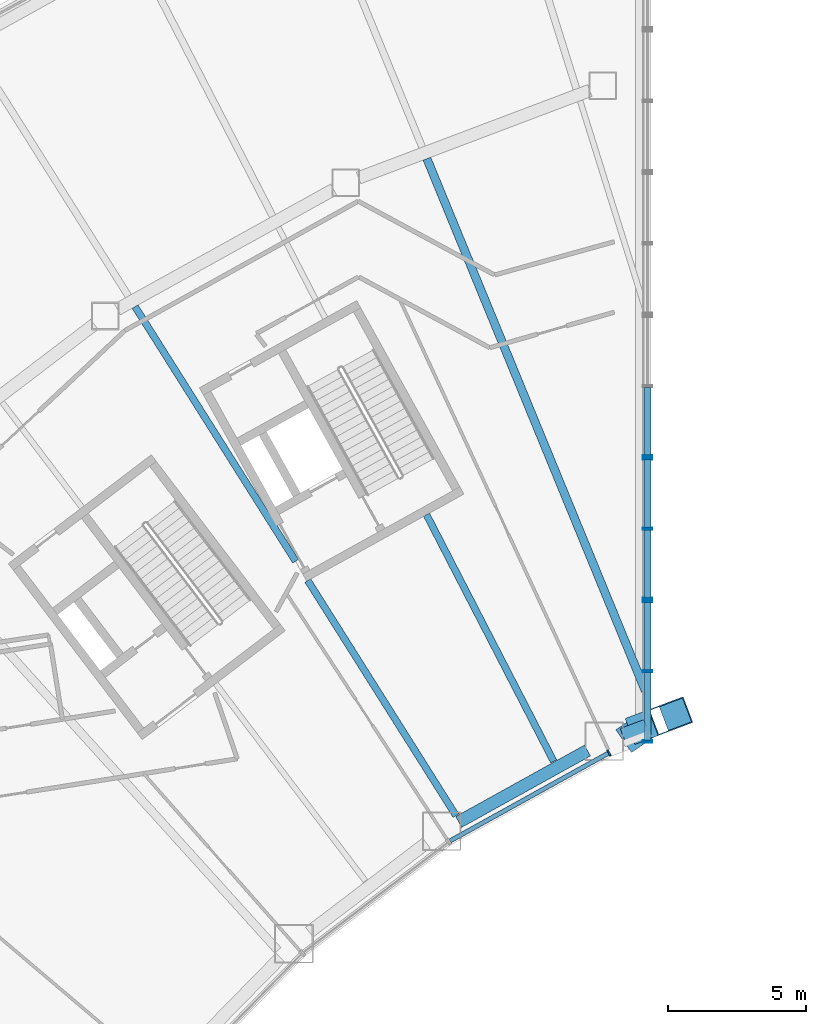
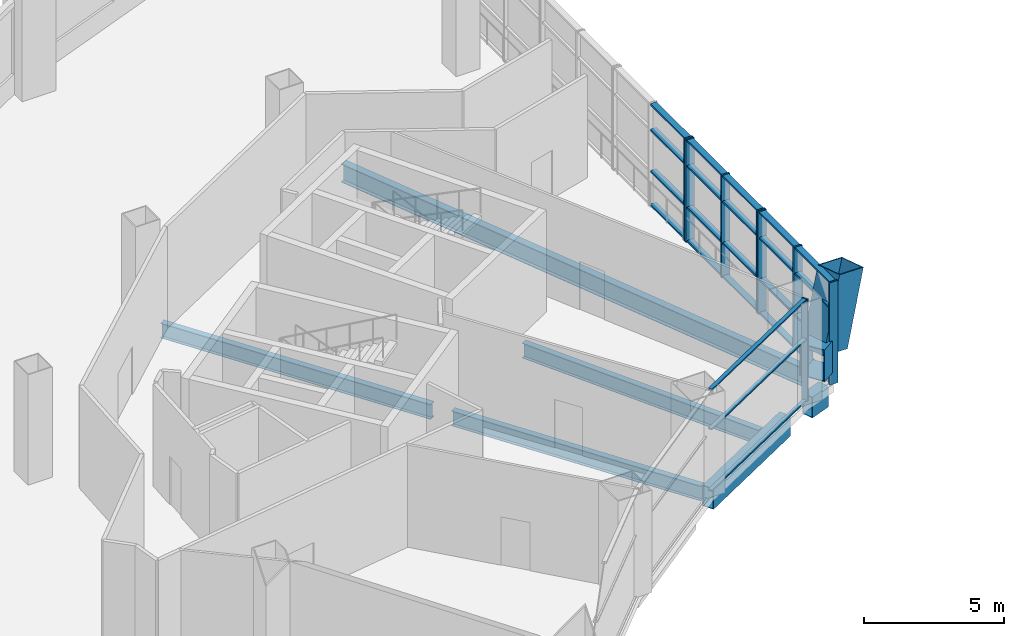
# One storey, part 5 of 26: 31 members, 8 beams, 4 elements without a shape of their own.
"""IFC4 building model written with IfcOpenShell, lengths in metres."""

from ifc_helpers import new_model, si_unit, direction, frame, origin, origin_2d, place, context, subcontext, project, spatial, rectangle, hollow_rectangle, i_section, extrude, material, layer, layer_set, material_profile, profile_set, type_object, element, aggregate, save


model = new_model("IFC4")

# Units and contexts
model_context = context("Model", 3, precision=1e-05, world=origin(), true_north=direction((0.0, 1.0)))
body_context = subcontext(model_context, "Body", "Model", "MODEL_VIEW")
ifc_project = project(units=[si_unit("LENGTHUNIT", "METRE"), si_unit("AREAUNIT", "SQUARE_METRE"), si_unit("VOLUMEUNIT", "CUBIC_METRE"), si_unit("PLANEANGLEUNIT", "RADIAN"), si_unit("MASSUNIT", "GRAM", prefix="KILO")], contexts=[model_context])

# Site, building, storey
site_placement = place(None, origin())
site = spatial("IfcSite", under=ifc_project, at=site_placement, CompositionType="ELEMENT")
building_placement = place(site_placement, origin())
building = spatial("IfcBuilding", under=site, at=building_placement, Name="Tuul Gate Civic Tower", CompositionType="ELEMENT")
storey_placement = place(building_placement, frame((0.0, 0.0, 7.5)))
storey = spatial("IfcBuildingStorey", under=building, at=storey_placement, Name="Level 01", CompositionType="ELEMENT", Elevation=7.5)

# Curtain wall, members
ifc_material_1 = material(Name="Stainless steel", Category="steel")
ifc_layer_1 = layer(ifc_material_1, 0.199951171875)
ifc_layer_set_1 = layer_set([ifc_layer_1], Name="Stainless steel")
curtain_wall_type_1 = type_object("IfcCurtainWallType", Name="Curtain wall CW2", PredefinedType="NOTDEFINED", material=ifc_layer_set_1)
curtain_wall_1_placement = place(storey_placement, origin())
curtain_wall_1 = element("IfcCurtainWall", 1, at=curtain_wall_1_placement, inside=storey, type_object=curtain_wall_type_1, Name="Curtain wall CW2", PredefinedType="NOTDEFINED")
ifc_material_2 = material(Name="Stainless steel", Category="steel")
ifc_material_profile_1 = material_profile(ifc_material_2, hollow_rectangle(XDim=0.35009765625, YDim=0.080078125, WallThickness=0.006103515625, at=origin_2d()), Name="CW2 mullion")
ifc_profile_set_1 = profile_set([ifc_material_profile_1], Name="Stainless steel")
member_type_1 = type_object("IfcMemberType", Name="CW2 mullion", PredefinedType="MULLION", material=ifc_profile_set_1)
member_1_placement = place(storey_placement, frame((-18.0, -17.7958984375, 0.0), z_axis=(0.0, 0.0, 1.0), x_axis=(-1.0, 0.0, 0.0)))
member_1 = element("IfcMember", 2, at=member_1_placement, type_object=member_type_1, Name="Mullion", PredefinedType="MULLION", context=body_context, shape_type="SweptSolid", body=[
    extrude(hollow_rectangle(XDim=0.35009765625, YDim=0.080078125, WallThickness=0.006103515625, at=origin_2d()), origin(), (0.0, 0.0, 1.0), 4.449951171875),
])
member_2_placement = place(storey_placement, frame((-18.0, -15.25732421875, 0.0), z_axis=(0.0, 0.0, 1.0), x_axis=(-1.0, 0.0, 0.0)))
member_2 = element("IfcMember", 3, at=member_2_placement, type_object=member_type_1, Name="Mullion", PredefinedType="MULLION", context=body_context, shape_type="SweptSolid", body=[
    extrude(hollow_rectangle(XDim=0.35009765625, YDim=0.080078125, WallThickness=0.006103515625, at=origin_2d()), origin(), (0.0, 0.0, 1.0), 4.449951171875),
])
member_3_placement = place(storey_placement, frame((-18.0, -12.71875, 0.0), z_axis=(0.0, 0.0, 1.0), x_axis=(-1.0, 0.0, 0.0)))
member_3 = element("IfcMember", 4, at=member_3_placement, type_object=member_type_1, Name="Mullion", PredefinedType="MULLION", context=body_context, shape_type="SweptSolid", body=[
    extrude(hollow_rectangle(XDim=0.35009765625, YDim=0.080078125, WallThickness=0.006103515625, at=origin_2d()), origin(), (0.0, 0.0, 1.0), 4.449951171875),
])

curtain_wall_2_placement = place(storey_placement, origin())
curtain_wall_2 = element("IfcCurtainWall", 5, at=curtain_wall_2_placement, inside=storey, type_object=curtain_wall_type_1, Name="Curtain wall CW2", PredefinedType="NOTDEFINED")
member_4_placement = place(storey_placement, frame((-18.0, -12.638671875, 0.0), z_axis=(0.0, 0.0, 1.0), x_axis=(-1.0, 0.0, 0.0)))
member_4 = element("IfcMember", 6, at=member_4_placement, type_object=member_type_1, Name="Mullion", PredefinedType="MULLION", context=body_context, shape_type="SweptSolid", body=[
    extrude(hollow_rectangle(XDim=0.35009765625, YDim=0.080078125, WallThickness=0.006103515625, at=origin_2d()), origin(), (0.0, 0.0, 1.0), 4.449951171875),
])
member_5_placement = place(storey_placement, frame((-18.0, -10.10009765625, 0.0), z_axis=(0.0, 0.0, 1.0), x_axis=(-1.0, 0.0, 0.0)))
member_5 = element("IfcMember", 7, at=member_5_placement, type_object=member_type_1, Name="Mullion", PredefinedType="MULLION", context=body_context, shape_type="SweptSolid", body=[
    extrude(hollow_rectangle(XDim=0.35009765625, YDim=0.080078125, WallThickness=0.006103515625, at=origin_2d()), origin(), (0.0, 0.0, 1.0), 4.449951171875),
])
member_6_placement = place(storey_placement, frame((-18.0, -7.5615234375, 0.0), z_axis=(0.0, 0.0, 1.0), x_axis=(-1.0, 0.0, 0.0)))
member_6 = element("IfcMember", 8, at=member_6_placement, type_object=member_type_1, Name="Mullion", PredefinedType="MULLION", context=body_context, shape_type="SweptSolid", body=[
    extrude(hollow_rectangle(XDim=0.35009765625, YDim=0.080078125, WallThickness=0.006103515625, at=origin_2d()), origin(), (0.0, 0.0, 1.0), 4.449951171875),
])

# Curtain wall, member
curtain_wall_3_placement = place(storey_placement, origin())
curtain_wall_3 = element("IfcCurtainWall", 9, at=curtain_wall_3_placement, inside=storey, type_object=curtain_wall_type_1, Name="Curtain wall CW2", PredefinedType="NOTDEFINED")
member_7_placement = place(storey_placement, frame((-18.0, -7.4814453125, 0.0), z_axis=(0.0, 0.0, 1.0), x_axis=(-1.0, 0.0, 0.0)))
member_7 = element("IfcMember", 10, at=member_7_placement, type_object=member_type_1, Name="Mullion", PredefinedType="MULLION", context=body_context, shape_type="SweptSolid", body=[
    extrude(hollow_rectangle(XDim=0.35009765625, YDim=0.080078125, WallThickness=0.006103515625, at=origin_2d()), origin(), (0.0, 0.0, 1.0), 4.449951171875),
])

# Member
ifc_material_3 = material(Name="Stainless steel", Category="steel")
ifc_material_profile_2 = material_profile(ifc_material_3, hollow_rectangle(XDim=0.25, YDim=0.080078125, WallThickness=0.006103515625, at=origin_2d()), Name="CW2 transom")
ifc_profile_set_2 = profile_set([ifc_material_profile_2], Name="Stainless steel")
member_type_2 = type_object("IfcMemberType", Name="CW2 transom", PredefinedType="USERDEFINED", material=ifc_profile_set_2)
member_8_placement = place(storey_placement, frame((-18.0, -17.756103515625, 0.0400390625), z_axis=(0.0, 1.0, 0.0), x_axis=(-1.0, 0.0, 0.0)))
member_8 = element("IfcMember", 11, at=member_8_placement, type_object=member_type_2, Name="Transom", ObjectType="TRANSOM", PredefinedType="USERDEFINED", context=body_context, shape_type="SweptSolid", body=[
    extrude(hollow_rectangle(XDim=0.25, YDim=0.080078125, WallThickness=0.006103515625, at=origin_2d()), origin(), (0.0, 0.0, 1.0), 2.458740234375),
])

member_9_placement = place(storey_placement, frame((-18.0, -17.756103515625, 1.5), z_axis=(0.0, 1.0, 0.0), x_axis=(-1.0, 0.0, 0.0)))
member_9 = element("IfcMember", 12, at=member_9_placement, type_object=member_type_2, Name="Transom", ObjectType="TRANSOM", PredefinedType="USERDEFINED", context=body_context, shape_type="SweptSolid", body=[
    extrude(hollow_rectangle(XDim=0.25, YDim=0.080078125, WallThickness=0.006103515625, at=origin_2d()), origin(), (0.0, 0.0, 1.0), 2.458740234375),
])

member_10_placement = place(storey_placement, frame((-18.0, -17.756103515625, 3.300048828125), z_axis=(0.0, 1.0, 0.0), x_axis=(-1.0, 0.0, 0.0)))
member_10 = element("IfcMember", 13, at=member_10_placement, type_object=member_type_2, Name="Transom", ObjectType="TRANSOM", PredefinedType="USERDEFINED", context=body_context, shape_type="SweptSolid", body=[
    extrude(hollow_rectangle(XDim=0.25, YDim=0.080078125, WallThickness=0.006103515625, at=origin_2d()), origin(), (0.0, 0.0, 1.0), 2.458740234375),
])

member_11_placement = place(storey_placement, frame((-18.0, -17.756103515625, 4.409912109375), z_axis=(0.0, 1.0, 0.0), x_axis=(-1.0, 0.0, 0.0)))
member_11 = element("IfcMember", 14, at=member_11_placement, type_object=member_type_2, Name="Transom", ObjectType="TRANSOM", PredefinedType="USERDEFINED", context=body_context, shape_type="SweptSolid", body=[
    extrude(hollow_rectangle(XDim=0.25, YDim=0.080078125, WallThickness=0.006103515625, at=origin_2d()), origin(), (0.0, 0.0, 1.0), 2.458740234375),
])

member_12_placement = place(storey_placement, frame((-18.0, -15.21728515625, 0.0400390625), z_axis=(0.0, 1.0, 0.0), x_axis=(-1.0, 0.0, 0.0)))
member_12 = element("IfcMember", 15, at=member_12_placement, type_object=member_type_2, Name="Transom", ObjectType="TRANSOM", PredefinedType="USERDEFINED", context=body_context, shape_type="SweptSolid", body=[
    extrude(hollow_rectangle(XDim=0.25, YDim=0.080078125, WallThickness=0.006103515625, at=origin_2d()), origin(), (0.0, 0.0, 1.0), 2.45849609375),
])

member_13_placement = place(storey_placement, frame((-18.0, -15.21728515625, 1.5), z_axis=(0.0, 1.0, 0.0), x_axis=(-1.0, 0.0, 0.0)))
member_13 = element("IfcMember", 16, at=member_13_placement, type_object=member_type_2, Name="Transom", ObjectType="TRANSOM", PredefinedType="USERDEFINED", context=body_context, shape_type="SweptSolid", body=[
    extrude(hollow_rectangle(XDim=0.25, YDim=0.080078125, WallThickness=0.006103515625, at=origin_2d()), origin(), (0.0, 0.0, 1.0), 2.45849609375),
])

member_14_placement = place(storey_placement, frame((-18.0, -15.21728515625, 3.300048828125), z_axis=(0.0, 1.0, 0.0), x_axis=(-1.0, 0.0, 0.0)))
member_14 = element("IfcMember", 17, at=member_14_placement, type_object=member_type_2, Name="Transom", ObjectType="TRANSOM", PredefinedType="USERDEFINED", context=body_context, shape_type="SweptSolid", body=[
    extrude(hollow_rectangle(XDim=0.25, YDim=0.080078125, WallThickness=0.006103515625, at=origin_2d()), origin(), (0.0, 0.0, 1.0), 2.45849609375),
])

member_15_placement = place(storey_placement, frame((-18.0, -15.21728515625, 4.409912109375), z_axis=(0.0, 1.0, 0.0), x_axis=(-1.0, 0.0, 0.0)))
member_15 = element("IfcMember", 18, at=member_15_placement, type_object=member_type_2, Name="Transom", ObjectType="TRANSOM", PredefinedType="USERDEFINED", context=body_context, shape_type="SweptSolid", body=[
    extrude(hollow_rectangle(XDim=0.25, YDim=0.080078125, WallThickness=0.006103515625, at=origin_2d()), origin(), (0.0, 0.0, 1.0), 2.45849609375),
])

aggregate(curtain_wall_1, [member_1, member_2, member_3, member_8, member_9, member_10, member_11, member_12, member_13, member_14, member_15])

member_16_placement = place(storey_placement, frame((-18.0, -12.5986328125, 0.0400390625), z_axis=(0.0, 1.0, 0.0), x_axis=(-1.0, 0.0, 0.0)))
member_16 = element("IfcMember", 19, at=member_16_placement, type_object=member_type_2, Name="Transom", ObjectType="TRANSOM", PredefinedType="USERDEFINED", context=body_context, shape_type="SweptSolid", body=[
    extrude(hollow_rectangle(XDim=0.25, YDim=0.080078125, WallThickness=0.006103515625, at=origin_2d()), origin(), (0.0, 0.0, 1.0), 2.45849609375),
])

member_17_placement = place(storey_placement, frame((-18.0, -12.5986328125, 1.5), z_axis=(0.0, 1.0, 0.0), x_axis=(-1.0, 0.0, 0.0)))
member_17 = element("IfcMember", 20, at=member_17_placement, type_object=member_type_2, Name="Transom", ObjectType="TRANSOM", PredefinedType="USERDEFINED", context=body_context, shape_type="SweptSolid", body=[
    extrude(hollow_rectangle(XDim=0.25, YDim=0.080078125, WallThickness=0.006103515625, at=origin_2d()), origin(), (0.0, 0.0, 1.0), 2.45849609375),
])

member_18_placement = place(storey_placement, frame((-18.0, -12.5986328125, 3.300048828125), z_axis=(0.0, 1.0, 0.0), x_axis=(-1.0, 0.0, 0.0)))
member_18 = element("IfcMember", 21, at=member_18_placement, type_object=member_type_2, Name="Transom", ObjectType="TRANSOM", PredefinedType="USERDEFINED", context=body_context, shape_type="SweptSolid", body=[
    extrude(hollow_rectangle(XDim=0.25, YDim=0.080078125, WallThickness=0.006103515625, at=origin_2d()), origin(), (0.0, 0.0, 1.0), 2.45849609375),
])

member_19_placement = place(storey_placement, frame((-18.0, -12.5986328125, 4.409912109375), z_axis=(0.0, 1.0, 0.0), x_axis=(-1.0, 0.0, 0.0)))
member_19 = element("IfcMember", 22, at=member_19_placement, type_object=member_type_2, Name="Transom", ObjectType="TRANSOM", PredefinedType="USERDEFINED", context=body_context, shape_type="SweptSolid", body=[
    extrude(hollow_rectangle(XDim=0.25, YDim=0.080078125, WallThickness=0.006103515625, at=origin_2d()), origin(), (0.0, 0.0, 1.0), 2.45849609375),
])

member_20_placement = place(storey_placement, frame((-18.0, -10.06005859375, 0.0400390625), z_axis=(0.0, 1.0, 0.0), x_axis=(-1.0, 0.0, 0.0)))
member_20 = element("IfcMember", 23, at=member_20_placement, type_object=member_type_2, Name="Transom", ObjectType="TRANSOM", PredefinedType="USERDEFINED", context=body_context, shape_type="SweptSolid", body=[
    extrude(hollow_rectangle(XDim=0.25, YDim=0.080078125, WallThickness=0.006103515625, at=origin_2d()), origin(), (0.0, 0.0, 1.0), 2.458740234375),
])

member_21_placement = place(storey_placement, frame((-18.0, -10.06005859375, 1.5), z_axis=(0.0, 1.0, 0.0), x_axis=(-1.0, 0.0, 0.0)))
member_21 = element("IfcMember", 24, at=member_21_placement, type_object=member_type_2, Name="Transom", ObjectType="TRANSOM", PredefinedType="USERDEFINED", context=body_context, shape_type="SweptSolid", body=[
    extrude(hollow_rectangle(XDim=0.25, YDim=0.080078125, WallThickness=0.006103515625, at=origin_2d()), origin(), (0.0, 0.0, 1.0), 2.458740234375),
])

member_22_placement = place(storey_placement, frame((-18.0, -10.06005859375, 3.300048828125), z_axis=(0.0, 1.0, 0.0), x_axis=(-1.0, 0.0, 0.0)))
member_22 = element("IfcMember", 25, at=member_22_placement, type_object=member_type_2, Name="Transom", ObjectType="TRANSOM", PredefinedType="USERDEFINED", context=body_context, shape_type="SweptSolid", body=[
    extrude(hollow_rectangle(XDim=0.25, YDim=0.080078125, WallThickness=0.006103515625, at=origin_2d()), origin(), (0.0, 0.0, 1.0), 2.458740234375),
])

member_23_placement = place(storey_placement, frame((-18.0, -10.06005859375, 4.409912109375), z_axis=(0.0, 1.0, 0.0), x_axis=(-1.0, 0.0, 0.0)))
member_23 = element("IfcMember", 26, at=member_23_placement, type_object=member_type_2, Name="Transom", ObjectType="TRANSOM", PredefinedType="USERDEFINED", context=body_context, shape_type="SweptSolid", body=[
    extrude(hollow_rectangle(XDim=0.25, YDim=0.080078125, WallThickness=0.006103515625, at=origin_2d()), origin(), (0.0, 0.0, 1.0), 2.458740234375),
])

aggregate(curtain_wall_2, [member_4, member_5, member_6, member_16, member_17, member_18, member_19, member_20, member_21, member_22, member_23])

member_24_placement = place(storey_placement, frame((-18.0, -7.44140625, 0.0400390625), z_axis=(0.0, 1.0, 0.0), x_axis=(-1.0, 0.0, 0.0)))
member_24 = element("IfcMember", 27, at=member_24_placement, type_object=member_type_2, Name="Transom", ObjectType="TRANSOM", PredefinedType="USERDEFINED", context=body_context, shape_type="SweptSolid", body=[
    extrude(hollow_rectangle(XDim=0.25, YDim=0.080078125, WallThickness=0.006103515625, at=origin_2d()), origin(), (0.0, 0.0, 1.0), 2.458740234375),
])

member_25_placement = place(storey_placement, frame((-18.0, -7.44140625, 1.5), z_axis=(0.0, 1.0, 0.0), x_axis=(-1.0, 0.0, 0.0)))
member_25 = element("IfcMember", 28, at=member_25_placement, type_object=member_type_2, Name="Transom", ObjectType="TRANSOM", PredefinedType="USERDEFINED", context=body_context, shape_type="SweptSolid", body=[
    extrude(hollow_rectangle(XDim=0.25, YDim=0.080078125, WallThickness=0.006103515625, at=origin_2d()), origin(), (0.0, 0.0, 1.0), 2.458740234375),
])

member_26_placement = place(storey_placement, frame((-18.0, -7.44140625, 3.300048828125), z_axis=(0.0, 1.0, 0.0), x_axis=(-1.0, 0.0, 0.0)))
member_26 = element("IfcMember", 29, at=member_26_placement, type_object=member_type_2, Name="Transom", ObjectType="TRANSOM", PredefinedType="USERDEFINED", context=body_context, shape_type="SweptSolid", body=[
    extrude(hollow_rectangle(XDim=0.25, YDim=0.080078125, WallThickness=0.006103515625, at=origin_2d()), origin(), (0.0, 0.0, 1.0), 2.458740234375),
])

member_27_placement = place(storey_placement, frame((-18.0, -7.44140625, 4.409912109375), z_axis=(0.0, 1.0, 0.0), x_axis=(-1.0, 0.0, 0.0)))
member_27 = element("IfcMember", 30, at=member_27_placement, type_object=member_type_2, Name="Transom", ObjectType="TRANSOM", PredefinedType="USERDEFINED", context=body_context, shape_type="SweptSolid", body=[
    extrude(hollow_rectangle(XDim=0.25, YDim=0.080078125, WallThickness=0.006103515625, at=origin_2d()), origin(), (0.0, 0.0, 1.0), 2.458740234375),
])

aggregate(curtain_wall_3, [member_7, member_24, member_25, member_26, member_27])

# Curtain wall, members
ifc_material_4 = material(Name="Aluminium", Category="aluminium")
ifc_layer_2 = layer(ifc_material_4, 0.199951171875)
ifc_layer_set_2 = layer_set([ifc_layer_2], Name="Aluminium")
curtain_wall_type_2 = type_object("IfcCurtainWallType", Name="Curtain wall CW6", PredefinedType="NOTDEFINED", material=ifc_layer_set_2)
curtain_wall_4_placement = place(storey_placement, origin())
curtain_wall_4 = element("IfcCurtainWall", 31, at=curtain_wall_4_placement, inside=storey, type_object=curtain_wall_type_2, Name="Curtain wall CW6", PredefinedType="NOTDEFINED")
ifc_material_5 = material(Name="Aluminium", Category="aluminium")
ifc_material_profile_3 = material_profile(ifc_material_5, rectangle(XDim=0.239990234375, YDim=0.06005859375, at=origin_2d()), Name="CW6 mullion")
ifc_profile_set_3 = profile_set([ifc_material_profile_3], Name="Aluminium")
member_type_3 = type_object("IfcMemberType", Name="CW6 mullion", PredefinedType="MULLION", material=ifc_profile_set_3)
member_28_placement = place(storey_placement, frame((-19.394287109375, -18.20751953125, 0.0), z_axis=(0.0, 0.0, 1.0), x_axis=(-0.484724404523, 0.87466693756, 0.0)))
member_28 = element("IfcMember", 32, at=member_28_placement, type_object=member_type_3, Name="Mullion", PredefinedType="MULLION", context=body_context, shape_type="SweptSolid", body=[
    extrude(rectangle(XDim=0.239990234375, YDim=0.06005859375, at=origin_2d()), origin(), (0.0, 0.0, 1.0), 4.449951171875),
])
ifc_material_6 = material(Name="Aluminium", Category="aluminium")
ifc_material_profile_4 = material_profile(ifc_material_6, rectangle(XDim=0.159912109375, YDim=0.06005859375, at=origin_2d()), Name="CW6 transom")
ifc_profile_set_4 = profile_set([ifc_material_profile_4], Name="Aluminium")
member_type_4 = type_object("IfcMemberType", Name="CW6 transom", PredefinedType="USERDEFINED", material=ifc_profile_set_4)
member_29_placement = place(storey_placement, frame((-25.138427734375, -21.390869140625, 0.030029296875), z_axis=(0.874674687006, 0.484710420676, 0.0), x_axis=(-0.484710420676, 0.874674687006, 0.0)))
member_29 = element("IfcMember", 33, at=member_29_placement, type_object=member_type_4, Name="Transom", ObjectType="TRANSOM", PredefinedType="USERDEFINED", context=body_context, shape_type="SweptSolid", body=[
    extrude(rectangle(XDim=0.159912109375, YDim=0.06005859375, at=origin_2d()), origin(), (0.0, 0.0, 1.0), 6.537353515625),
])
member_30_placement = place(storey_placement, frame((-25.138427734375, -21.390869140625, 2.699951171875), z_axis=(0.874674687006, 0.484710420676, 0.0), x_axis=(-0.484710420676, 0.874674687006, 0.0)))
member_30 = element("IfcMember", 34, at=member_30_placement, type_object=member_type_4, Name="Transom", ObjectType="TRANSOM", PredefinedType="USERDEFINED", context=body_context, shape_type="SweptSolid", body=[
    extrude(rectangle(XDim=0.159912109375, YDim=0.06005859375, at=origin_2d()), origin(), (0.0, 0.0, 1.0), 6.537353515625),
])
member_31_placement = place(storey_placement, frame((-25.138427734375, -21.390869140625, 4.419921875), z_axis=(0.874674687006, 0.484710420676, 0.0), x_axis=(-0.484710420676, 0.874674687006, 0.0)))
member_31 = element("IfcMember", 35, at=member_31_placement, type_object=member_type_4, Name="Transom", ObjectType="TRANSOM", PredefinedType="USERDEFINED", context=body_context, shape_type="SweptSolid", body=[
    extrude(rectangle(XDim=0.159912109375, YDim=0.06005859375, at=origin_2d()), origin(), (0.0, 0.0, 1.0), 6.537353515625),
])
aggregate(curtain_wall_4, [member_28, member_29, member_30, member_31])

# Beams
ifc_material_7 = material(Name="Steel S460", Category="steel")
ifc_material_profile_5 = material_profile(ifc_material_7, hollow_rectangle(XDim=1.0, YDim=1.39990234375, WallThickness=0.0400390625, at=origin_2d()), Name="BOX1400x1000x40")
ifc_profile_set_5 = profile_set([ifc_material_profile_5], Name="Steel S460")
beam_type_1 = type_object("IfcBeamType", Name="STR-ARCH TRUSS CHORD-BOX1400x1000x40", PredefinedType="BEAM", material=ifc_profile_set_5)
beam_1_placement = place(storey_placement, frame((-18.85791015625, -17.782958984375, 1.199951171875), z_axis=(0.824466130769, 0.565911299777, 0.0), x_axis=(-0.565911299777, 0.824466130769, 0.0)))
element("IfcBeam", 36, at=beam_1_placement, inside=storey, type_object=beam_type_1, Name="Arch rib", PredefinedType="BEAM", context=body_context, shape_type="SweptSolid", body=[
    extrude(hollow_rectangle(XDim=1.0, YDim=1.39990234375, WallThickness=0.0400390625, at=origin_2d()), origin(), (0.0, 0.0, 1.0), 1.04052734375),
])
beam_2_placement = place(storey_placement, frame((-18.0, -17.194091796875, 1.199951171875), z_axis=(0.263627196254, 0.099635010021, 0.959465250112), x_axis=(-0.35353257544, 0.935422213817, 0.0)))
element("IfcBeam", 37, at=beam_2_placement, inside=storey, type_object=beam_type_1, Name="Arch rib", PredefinedType="BEAM", context=body_context, shape_type="SweptSolid", body=[
    extrude(hollow_rectangle(XDim=1.0, YDim=1.39990234375, WallThickness=0.0400390625, at=origin_2d()), origin(), (0.0, 0.0, 1.0), 3.1904296875),
])
ifc_material_8 = material(Name="Steel S355", Category="steel")
ifc_material_profile_6 = material_profile(ifc_material_8, i_section(OverallWidth=0.25, OverallDepth=0.64990234375, WebThickness=0.011962890625, FlangeThickness=0.02001953125, at=origin_2d()), Name="PG650x250x12x20")
ifc_profile_set_6 = profile_set([ifc_material_profile_6], Name="Steel S355")
beam_type_2 = type_object("IfcBeamType", Name="STR-FLOOR BEAM-PG650x250x12x20", PredefinedType="BEAM", material=ifc_profile_set_6)
beam_3_placement = place(storey_placement, frame((-21.390380859375, -18.512939453125, -0.675048828125), z_axis=(-0.458274716769, 0.88881060073, 0.0), x_axis=(-0.88881060073, -0.458274716769, 0.0)))
element("IfcBeam", 38, at=beam_3_placement, inside=storey, type_object=beam_type_2, Name="Floor beam", PredefinedType="BEAM", context=body_context, shape_type="SweptSolid", body=[
    extrude(i_section(OverallWidth=0.25, OverallDepth=0.64990234375, WebThickness=0.011962890625, FlangeThickness=0.02001953125, at=origin_2d()), origin(), (0.0, 0.0, 1.0), 10.03369140625),
])
beam_4_placement = place(storey_placement, frame((-24.9248046875, -20.47265625, -0.675048828125), z_axis=(-0.53338296173, 0.845873877204, 0.0), x_axis=(-0.845873877204, -0.53338296173, 0.0)))
element("IfcBeam", 39, at=beam_4_placement, inside=storey, type_object=beam_type_2, Name="Floor beam", PredefinedType="BEAM", context=body_context, shape_type="SweptSolid", body=[
    extrude(i_section(OverallWidth=0.25, OverallDepth=0.64990234375, WebThickness=0.011962890625, FlangeThickness=0.02001953125, at=origin_2d()), origin(), (0.0, 0.0, 1.0), 10.045654296875),
])
beam_5_placement = place(storey_placement, frame((-30.72509765625, -11.2744140625, -0.675048828125), z_axis=(-0.533383609524, 0.845873468724, 0.0), x_axis=(-0.845873468724, -0.533383609524, 0.0)))
element("IfcBeam", 40, at=beam_5_placement, inside=storey, type_object=beam_type_2, Name="Floor beam", PredefinedType="BEAM", context=body_context, shape_type="SweptSolid", body=[
    extrude(i_section(OverallWidth=0.25, OverallDepth=0.64990234375, WebThickness=0.011962890625, FlangeThickness=0.02001953125, at=origin_2d()), origin(), (0.0, 0.0, 1.0), 10.885498046875),
])
ifc_material_9 = material(Name="Steel S355", Category="steel")
ifc_material_profile_7 = material_profile(ifc_material_9, i_section(OverallWidth=0.300048828125, OverallDepth=0.800048828125, WebThickness=0.013916015625, FlangeThickness=0.02490234375, at=origin_2d()), Name="PG800x300x14x25")
ifc_profile_set_7 = profile_set([ifc_material_profile_7], Name="Steel S355")
beam_type_3 = type_object("IfcBeamType", Name="STR-FLOOR BEAM-PG800x300x14x25", PredefinedType="BEAM", material=ifc_profile_set_7)
beam_6_placement = place(storey_placement, frame((-18.074951171875, -15.9638671875, -0.75), z_axis=(-0.379719110577, 0.925101830645, 0.0), x_axis=(-0.925101830645, -0.379719110577, 0.0)))
element("IfcBeam", 41, at=beam_6_placement, inside=storey, type_object=beam_type_3, Name="Floor beam", PredefinedType="BEAM", context=body_context, shape_type="SweptSolid", body=[
    extrude(i_section(OverallWidth=0.300048828125, OverallDepth=0.800048828125, WebThickness=0.013916015625, FlangeThickness=0.02490234375, at=origin_2d()), origin(), (0.0, 0.0, 1.0), 20.805908203125),
])
ifc_material_10 = material(Name="Steel S355", Category="steel")
ifc_material_profile_8 = material_profile(ifc_material_10, hollow_rectangle(XDim=0.449951171875, YDim=0.89990234375, WallThickness=0.02490234375, at=origin_2d()), Name="BOX900x450x25")
ifc_profile_set_8 = profile_set([ifc_material_profile_8], Name="Steel S355")
beam_type_4 = type_object("IfcBeamType", Name="STR-SPANDREL BEAM-BOX900x450x25", PredefinedType="BEAM", material=ifc_profile_set_8)
beam_7_placement = place(storey_placement, frame((-24.82568359375, -20.70361328125, -0.800048828125), z_axis=(0.87456368019, 0.484910681769, 0.0), x_axis=(-0.484910681769, 0.87456368019, 0.0)))
element("IfcBeam", 42, at=beam_7_placement, inside=storey, type_object=beam_type_4, Name="Spandrel beam", PredefinedType="BEAM", context=body_context, shape_type="SweptSolid", body=[
    extrude(hollow_rectangle(XDim=0.449951171875, YDim=0.89990234375, WallThickness=0.02490234375, at=origin_2d()), origin(), (0.0, 0.0, 1.0), 5.3232421875),
])
beam_8_placement = place(storey_placement, frame((-18.9033203125, -17.535400390625, -0.800048828125), z_axis=(0.935413092715, 0.353556708291, 0.0), x_axis=(-0.353556708291, 0.935413092715, 0.0)))
element("IfcBeam", 43, at=beam_8_placement, inside=storey, type_object=beam_type_4, Name="Spandrel beam", PredefinedType="BEAM", context=body_context, shape_type="SweptSolid", body=[
    extrude(hollow_rectangle(XDim=0.449951171875, YDim=0.89990234375, WallThickness=0.02490234375, at=origin_2d()), origin(), (0.0, 0.0, 1.0), 0.912109375),
])

save(model, "model.ifc")
